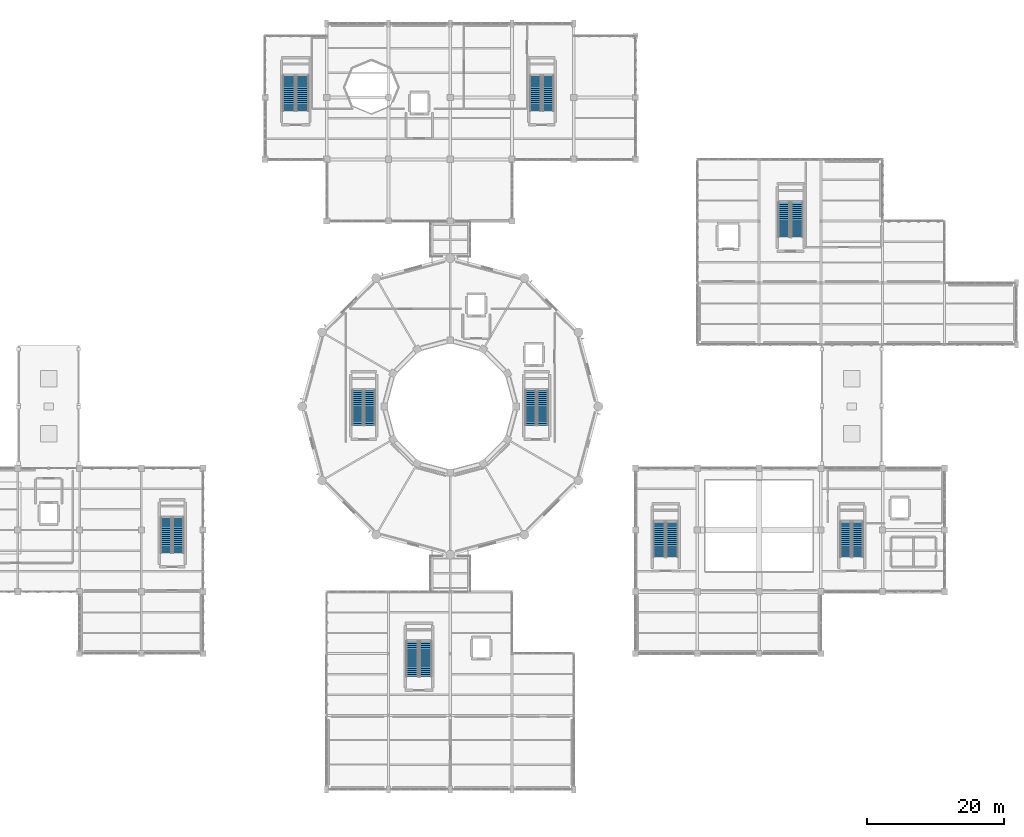
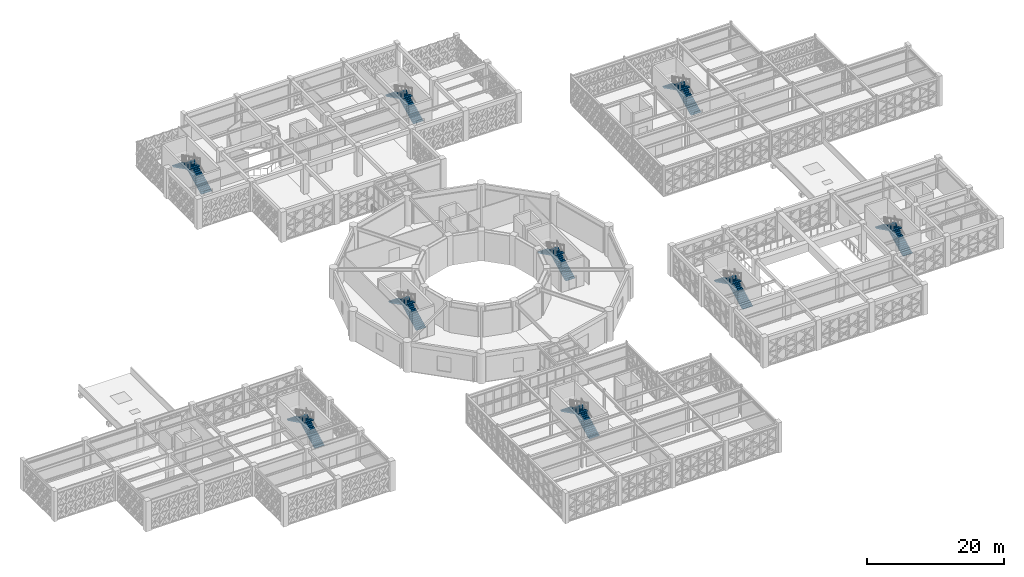
# One storey, part 138 of 155: 18 stair flights, 9 elements without a shape of their own.
"""IFC4 building model written with IfcOpenShell, lengths in metres."""

from ifc_helpers import new_model, si_unit, direction, frame, origin, place, context, subcontext, project, spatial, polyline, outline, extrude, material, type_object, element, aggregate, save


model = new_model("IFC4")

# Units and contexts
model_context = context("Model", 3, precision=1e-05, world=origin(), true_north=direction((0.0, 1.0)))
body_context = subcontext(model_context, "Body", "Model", "MODEL_VIEW")
ifc_project = project(units=[si_unit("LENGTHUNIT", "METRE"), si_unit("AREAUNIT", "SQUARE_METRE"), si_unit("VOLUMEUNIT", "CUBIC_METRE"), si_unit("PLANEANGLEUNIT", "RADIAN"), si_unit("MASSUNIT", "GRAM", prefix="KILO")], contexts=[model_context])

# Site, building, storey
site_placement = place(None, origin())
site = spatial("IfcSite", under=ifc_project, at=site_placement, CompositionType="ELEMENT")
building_placement = place(site_placement, origin())
building = spatial("IfcBuilding", under=site, at=building_placement, Name="Haizhuo Lancet Aquarium", CompositionType="ELEMENT")
storey_placement = place(building_placement, frame((0.0, 0.0, 10.800048828125)))
storey = spatial("IfcBuildingStorey", under=building, at=storey_placement, Name="L02", CompositionType="ELEMENT", Elevation=10.800048828125)

# Stair, stair flights
ifc_material = material(Name="Concrete C40/50", Category="concrete")
stair_type_1 = type_object("IfcStairType", Name="STR-HT-1600-54", PredefinedType="HALF_TURN_STAIR", material=ifc_material)
stair_1_placement = place(storey_placement, origin())
stair_1 = element("IfcStair", 1, at=stair_1_placement, inside=storey, type_object=stair_type_1, Name="L02 enclosed exit stair ST-01", PredefinedType="HALF_TURN_STAIR")
stair_flight_type_1 = type_object("IfcStairFlightType", Name="FLT-STR-1600-54", PredefinedType="STRAIGHT", material=ifc_material)
stair_flight_1_placement = place(storey_placement, frame((-11.699951171875, -2.75, 0.0), z_axis=(0.0, 0.0, 1.0), x_axis=(0.0, 1.0, 0.0)))
stair_flight_1 = element("IfcStairFlight", 2, at=stair_flight_1_placement, type_object=stair_flight_type_1, Name="ST-15 flight 1", NumberOfRisers=18, NumberOfTreads=17, PredefinedType="STRAIGHT", RiserHeight=0.15, TreadLength=0.3, context=body_context, shape_type="SweptSolid", body=[
    extrude(outline(polyline([(0.0, 0.0), (0.0, 0.14990234375), (0.300048828125, 0.14990234375), (0.300048828125, 0.300048828125), (0.60009765625, 0.300048828125), (0.60009765625, 0.449951171875), (0.89990234375, 0.449951171875), (0.89990234375, 0.60009765625), (1.199951171875, 0.60009765625), (1.199951171875, 0.75), (1.5, 0.75), (1.5, 0.89990234375), (1.800048828125, 0.89990234375), (1.800048828125, 1.050048828125), (2.10009765625, 1.050048828125), (2.10009765625, 1.199951171875), (2.39990234375, 1.199951171875), (2.39990234375, 1.35009765625), (2.699951171875, 1.35009765625), (2.699951171875, 1.5), (3.0, 1.5), (3.0, 1.64990234375), (3.300048828125, 1.64990234375), (3.300048828125, 1.800048828125), (3.60009765625, 1.800048828125), (3.60009765625, 1.949951171875), (3.89990234375, 1.949951171875), (3.89990234375, 2.10009765625), (4.199951171875, 2.10009765625), (4.199951171875, 2.25), (4.5, 2.25), (4.5, 2.39990234375), (4.800048828125, 2.39990234375), (4.800048828125, 2.550048828125), (5.10009765625, 2.550048828125), (5.10009765625, 2.699951171875), (5.10009765625, 2.37109375), (0.357666015625, 0.0), (0.0, 0.0)])), frame((0.0, 0.800048828125, 0.0), z_axis=(0.0, -1.0, 0.0), x_axis=(1.0, 0.0, 0.0)), (0.0, 0.0, 1.0), 1.60009765625),
])
stair_flight_2_placement = place(storey_placement, frame((-13.5, 2.35009765625, 2.699951171875), z_axis=(0.0, 0.0, 1.0), x_axis=(0.0, -1.0, 0.0)))
stair_flight_2 = element("IfcStairFlight", 3, at=stair_flight_2_placement, type_object=stair_flight_type_1, Name="ST-15 flight 2", NumberOfRisers=18, NumberOfTreads=17, PredefinedType="STRAIGHT", RiserHeight=0.15, TreadLength=0.3, context=body_context, shape_type="SweptSolid", body=[
    extrude(outline(polyline([(0.0, 0.0), (0.0, 0.14990234375), (0.300048828125, 0.14990234375), (0.300048828125, 0.300048828125), (0.60009765625, 0.300048828125), (0.60009765625, 0.449951171875), (0.89990234375, 0.449951171875), (0.89990234375, 0.60009765625), (1.199951171875, 0.60009765625), (1.199951171875, 0.75), (1.5, 0.75), (1.5, 0.89990234375), (1.800048828125, 0.89990234375), (1.800048828125, 1.050048828125), (2.10009765625, 1.050048828125), (2.10009765625, 1.199951171875), (2.39990234375, 1.199951171875), (2.39990234375, 1.35009765625), (2.699951171875, 1.35009765625), (2.699951171875, 1.5), (3.0, 1.5), (3.0, 1.64990234375), (3.300048828125, 1.64990234375), (3.300048828125, 1.800048828125), (3.60009765625, 1.800048828125), (3.60009765625, 1.949951171875), (3.89990234375, 1.949951171875), (3.89990234375, 2.10009765625), (4.199951171875, 2.10009765625), (4.199951171875, 2.25), (4.5, 2.25), (4.5, 2.39990234375), (4.800048828125, 2.39990234375), (4.800048828125, 2.550048828125), (5.10009765625, 2.550048828125), (5.10009765625, 2.699951171875), (5.10009765625, 2.37109375), (0.357666015625, 0.0), (0.0, 0.0)])), frame((0.0, 0.800048828125, 0.0), z_axis=(0.0, -1.0, 0.0), x_axis=(1.0, 0.0, 0.0)), (0.0, 0.0, 1.0), 1.60009765625),
])
aggregate(stair_1, [stair_flight_1, stair_flight_2])

stair_2_placement = place(storey_placement, origin())
stair_2 = element("IfcStair", 4, at=stair_2_placement, inside=storey, type_object=stair_type_1, Name="L02 enclosed exit stair ST-02", PredefinedType="HALF_TURN_STAIR")
stair_flight_3_placement = place(storey_placement, frame((13.5, -2.75, 0.0), z_axis=(0.0, 0.0, 1.0), x_axis=(0.0, 1.0, 0.0)))
stair_flight_3 = element("IfcStairFlight", 5, at=stair_flight_3_placement, type_object=stair_flight_type_1, Name="ST-15 flight 1", NumberOfRisers=18, NumberOfTreads=17, PredefinedType="STRAIGHT", RiserHeight=0.15, TreadLength=0.3, context=body_context, shape_type="SweptSolid", body=[
    extrude(outline(polyline([(0.0, 0.0), (0.0, 0.14990234375), (0.300048828125, 0.14990234375), (0.300048828125, 0.300048828125), (0.60009765625, 0.300048828125), (0.60009765625, 0.449951171875), (0.89990234375, 0.449951171875), (0.89990234375, 0.60009765625), (1.199951171875, 0.60009765625), (1.199951171875, 0.75), (1.5, 0.75), (1.5, 0.89990234375), (1.800048828125, 0.89990234375), (1.800048828125, 1.050048828125), (2.10009765625, 1.050048828125), (2.10009765625, 1.199951171875), (2.39990234375, 1.199951171875), (2.39990234375, 1.35009765625), (2.699951171875, 1.35009765625), (2.699951171875, 1.5), (3.0, 1.5), (3.0, 1.64990234375), (3.300048828125, 1.64990234375), (3.300048828125, 1.800048828125), (3.60009765625, 1.800048828125), (3.60009765625, 1.949951171875), (3.89990234375, 1.949951171875), (3.89990234375, 2.10009765625), (4.199951171875, 2.10009765625), (4.199951171875, 2.25), (4.5, 2.25), (4.5, 2.39990234375), (4.800048828125, 2.39990234375), (4.800048828125, 2.550048828125), (5.10009765625, 2.550048828125), (5.10009765625, 2.699951171875), (5.10009765625, 2.37109375), (0.357666015625, 0.0), (0.0, 0.0)])), frame((0.0, 0.800048828125, 0.0), z_axis=(0.0, -1.0, 0.0), x_axis=(1.0, 0.0, 0.0)), (0.0, 0.0, 1.0), 1.60009765625),
])
stair_flight_4_placement = place(storey_placement, frame((11.699951171875, 2.35009765625, 2.699951171875), z_axis=(0.0, 0.0, 1.0), x_axis=(0.0, -1.0, 0.0)))
stair_flight_4 = element("IfcStairFlight", 6, at=stair_flight_4_placement, type_object=stair_flight_type_1, Name="ST-15 flight 2", NumberOfRisers=18, NumberOfTreads=17, PredefinedType="STRAIGHT", RiserHeight=0.15, TreadLength=0.3, context=body_context, shape_type="SweptSolid", body=[
    extrude(outline(polyline([(0.0, 0.0), (0.0, 0.14990234375), (0.300048828125, 0.14990234375), (0.300048828125, 0.300048828125), (0.60009765625, 0.300048828125), (0.60009765625, 0.449951171875), (0.89990234375, 0.449951171875), (0.89990234375, 0.60009765625), (1.199951171875, 0.60009765625), (1.199951171875, 0.75), (1.5, 0.75), (1.5, 0.89990234375), (1.800048828125, 0.89990234375), (1.800048828125, 1.050048828125), (2.10009765625, 1.050048828125), (2.10009765625, 1.199951171875), (2.39990234375, 1.199951171875), (2.39990234375, 1.35009765625), (2.699951171875, 1.35009765625), (2.699951171875, 1.5), (3.0, 1.5), (3.0, 1.64990234375), (3.300048828125, 1.64990234375), (3.300048828125, 1.800048828125), (3.60009765625, 1.800048828125), (3.60009765625, 1.949951171875), (3.89990234375, 1.949951171875), (3.89990234375, 2.10009765625), (4.199951171875, 2.10009765625), (4.199951171875, 2.25), (4.5, 2.25), (4.5, 2.39990234375), (4.800048828125, 2.39990234375), (4.800048828125, 2.550048828125), (5.10009765625, 2.550048828125), (5.10009765625, 2.699951171875), (5.10009765625, 2.37109375), (0.357666015625, 0.0), (0.0, 0.0)])), frame((0.0, 0.800048828125, 0.0), z_axis=(0.0, -1.0, 0.0), x_axis=(1.0, 0.0, 0.0)), (0.0, 0.0, 1.0), 1.60009765625),
])
aggregate(stair_2, [stair_flight_3, stair_flight_4])

stair_3_placement = place(storey_placement, origin())
stair_3 = element("IfcStair", 7, at=stair_3_placement, inside=storey, type_object=stair_type_1, Name="L02 enclosed exit stair ST-05", PredefinedType="HALF_TURN_STAIR")
stair_flight_5_placement = place(storey_placement, frame((59.39990234375, -21.949951171875, 0.0), z_axis=(0.0, 0.0, 1.0), x_axis=(0.0, 1.0, 0.0)))
stair_flight_5 = element("IfcStairFlight", 8, at=stair_flight_5_placement, type_object=stair_flight_type_1, Name="ST-15 flight 1", NumberOfRisers=18, NumberOfTreads=17, PredefinedType="STRAIGHT", RiserHeight=0.15, TreadLength=0.3, context=body_context, shape_type="SweptSolid", body=[
    extrude(outline(polyline([(0.0, 0.0), (0.0, 0.14990234375), (0.300048828125, 0.14990234375), (0.300048828125, 0.300048828125), (0.60009765625, 0.300048828125), (0.60009765625, 0.449951171875), (0.89990234375, 0.449951171875), (0.89990234375, 0.60009765625), (1.199951171875, 0.60009765625), (1.199951171875, 0.75), (1.5, 0.75), (1.5, 0.89990234375), (1.800048828125, 0.89990234375), (1.800048828125, 1.050048828125), (2.10009765625, 1.050048828125), (2.10009765625, 1.199951171875), (2.39990234375, 1.199951171875), (2.39990234375, 1.35009765625), (2.699951171875, 1.35009765625), (2.699951171875, 1.5), (3.0, 1.5), (3.0, 1.64990234375), (3.300048828125, 1.64990234375), (3.300048828125, 1.800048828125), (3.60009765625, 1.800048828125), (3.60009765625, 1.949951171875), (3.89990234375, 1.949951171875), (3.89990234375, 2.10009765625), (4.199951171875, 2.10009765625), (4.199951171875, 2.25), (4.5, 2.25), (4.5, 2.39990234375), (4.800048828125, 2.39990234375), (4.800048828125, 2.550048828125), (5.10009765625, 2.550048828125), (5.10009765625, 2.699951171875), (5.10009765625, 2.37109375), (0.357666015625, 0.0), (0.0, 0.0)])), frame((0.0, 0.800048828125, 0.0), z_axis=(0.0, -1.0, 0.0), x_axis=(1.0, 0.0, 0.0)), (0.0, 0.0, 1.0), 1.60009765625),
])
stair_flight_6_placement = place(storey_placement, frame((57.60009765625, -16.85009765625, 2.699951171875), z_axis=(0.0, 0.0, 1.0), x_axis=(0.0, -1.0, 0.0)))
stair_flight_6 = element("IfcStairFlight", 9, at=stair_flight_6_placement, type_object=stair_flight_type_1, Name="ST-15 flight 2", NumberOfRisers=18, NumberOfTreads=17, PredefinedType="STRAIGHT", RiserHeight=0.15, TreadLength=0.3, context=body_context, shape_type="SweptSolid", body=[
    extrude(outline(polyline([(0.0, 0.0), (0.0, 0.14990234375), (0.300048828125, 0.14990234375), (0.300048828125, 0.300048828125), (0.60009765625, 0.300048828125), (0.60009765625, 0.449951171875), (0.89990234375, 0.449951171875), (0.89990234375, 0.60009765625), (1.199951171875, 0.60009765625), (1.199951171875, 0.75), (1.5, 0.75), (1.5, 0.89990234375), (1.800048828125, 0.89990234375), (1.800048828125, 1.050048828125), (2.10009765625, 1.050048828125), (2.10009765625, 1.199951171875), (2.39990234375, 1.199951171875), (2.39990234375, 1.35009765625), (2.699951171875, 1.35009765625), (2.699951171875, 1.5), (3.0, 1.5), (3.0, 1.64990234375), (3.300048828125, 1.64990234375), (3.300048828125, 1.800048828125), (3.60009765625, 1.800048828125), (3.60009765625, 1.949951171875), (3.89990234375, 1.949951171875), (3.89990234375, 2.10009765625), (4.199951171875, 2.10009765625), (4.199951171875, 2.25), (4.5, 2.25), (4.5, 2.39990234375), (4.800048828125, 2.39990234375), (4.800048828125, 2.550048828125), (5.10009765625, 2.550048828125), (5.10009765625, 2.699951171875), (5.10009765625, 2.37109375), (0.357666015625, 0.0), (0.0, 0.0)])), frame((0.0, 0.800048828125, 0.0), z_axis=(0.0, -1.0, 0.0), x_axis=(1.0, 0.0, 0.0)), (0.0, 0.0, 1.0), 1.60009765625),
])
aggregate(stair_3, [stair_flight_5, stair_flight_6])

stair_4_placement = place(storey_placement, origin())
stair_4 = element("IfcStair", 10, at=stair_4_placement, inside=storey, type_object=stair_type_1, Name="L02 enclosed exit stair ST-09", PredefinedType="HALF_TURN_STAIR")
stair_flight_7_placement = place(storey_placement, frame((-39.60009765625, -21.35009765625, 0.0), z_axis=(0.0, 0.0, 1.0), x_axis=(0.0, 1.0, 0.0)))
stair_flight_7 = element("IfcStairFlight", 11, at=stair_flight_7_placement, type_object=stair_flight_type_1, Name="ST-15 flight 1", NumberOfRisers=18, NumberOfTreads=17, PredefinedType="STRAIGHT", RiserHeight=0.15, TreadLength=0.3, context=body_context, shape_type="SweptSolid", body=[
    extrude(outline(polyline([(0.0, 0.0), (0.0, 0.14990234375), (0.300048828125, 0.14990234375), (0.300048828125, 0.300048828125), (0.60009765625, 0.300048828125), (0.60009765625, 0.449951171875), (0.89990234375, 0.449951171875), (0.89990234375, 0.60009765625), (1.199951171875, 0.60009765625), (1.199951171875, 0.75), (1.5, 0.75), (1.5, 0.89990234375), (1.800048828125, 0.89990234375), (1.800048828125, 1.050048828125), (2.10009765625, 1.050048828125), (2.10009765625, 1.199951171875), (2.39990234375, 1.199951171875), (2.39990234375, 1.35009765625), (2.699951171875, 1.35009765625), (2.699951171875, 1.5), (3.0, 1.5), (3.0, 1.64990234375), (3.300048828125, 1.64990234375), (3.300048828125, 1.800048828125), (3.60009765625, 1.800048828125), (3.60009765625, 1.949951171875), (3.89990234375, 1.949951171875), (3.89990234375, 2.10009765625), (4.199951171875, 2.10009765625), (4.199951171875, 2.25), (4.5, 2.25), (4.5, 2.39990234375), (4.800048828125, 2.39990234375), (4.800048828125, 2.550048828125), (5.10009765625, 2.550048828125), (5.10009765625, 2.699951171875), (5.10009765625, 2.37109375), (0.357666015625, 0.0), (0.0, 0.0)])), frame((0.0, 0.800048828125, 0.0), z_axis=(0.0, -1.0, 0.0), x_axis=(1.0, 0.0, 0.0)), (0.0, 0.0, 1.0), 1.60009765625),
])
stair_flight_8_placement = place(storey_placement, frame((-41.39990234375, -16.25, 2.699951171875), z_axis=(0.0, 0.0, 1.0), x_axis=(0.0, -1.0, 0.0)))
stair_flight_8 = element("IfcStairFlight", 12, at=stair_flight_8_placement, type_object=stair_flight_type_1, Name="ST-15 flight 2", NumberOfRisers=18, NumberOfTreads=17, PredefinedType="STRAIGHT", RiserHeight=0.15, TreadLength=0.3, context=body_context, shape_type="SweptSolid", body=[
    extrude(outline(polyline([(0.0, 0.0), (0.0, 0.14990234375), (0.300048828125, 0.14990234375), (0.300048828125, 0.300048828125), (0.60009765625, 0.300048828125), (0.60009765625, 0.449951171875), (0.89990234375, 0.449951171875), (0.89990234375, 0.60009765625), (1.199951171875, 0.60009765625), (1.199951171875, 0.75), (1.5, 0.75), (1.5, 0.89990234375), (1.800048828125, 0.89990234375), (1.800048828125, 1.050048828125), (2.10009765625, 1.050048828125), (2.10009765625, 1.199951171875), (2.39990234375, 1.199951171875), (2.39990234375, 1.35009765625), (2.699951171875, 1.35009765625), (2.699951171875, 1.5), (3.0, 1.5), (3.0, 1.64990234375), (3.300048828125, 1.64990234375), (3.300048828125, 1.800048828125), (3.60009765625, 1.800048828125), (3.60009765625, 1.949951171875), (3.89990234375, 1.949951171875), (3.89990234375, 2.10009765625), (4.199951171875, 2.10009765625), (4.199951171875, 2.25), (4.5, 2.25), (4.5, 2.39990234375), (4.800048828125, 2.39990234375), (4.800048828125, 2.550048828125), (5.10009765625, 2.550048828125), (5.10009765625, 2.699951171875), (5.10009765625, 2.37109375), (0.357666015625, 0.0), (0.0, 0.0)])), frame((0.0, 0.800048828125, 0.0), z_axis=(0.0, -1.0, 0.0), x_axis=(1.0, 0.0, 0.0)), (0.0, 0.0, 1.0), 1.60009765625),
])
aggregate(stair_4, [stair_flight_7, stair_flight_8])

stair_type_2 = type_object("IfcStairType", Name="STR-HT-1650-54", PredefinedType="HALF_TURN_STAIR", material=ifc_material)
stair_5_placement = place(storey_placement, origin())
stair_5 = element("IfcStair", 13, at=stair_5_placement, inside=storey, type_object=stair_type_2, Name="L02 enclosed exit stair ST-08", PredefinedType="HALF_TURN_STAIR")
stair_flight_type_2 = type_object("IfcStairFlightType", Name="FLT-STR-1650-54", PredefinedType="STRAIGHT", material=ifc_material)
stair_flight_9_placement = place(storey_placement, frame((14.27490234375, 43.050048828125, 0.0), z_axis=(0.0, 0.0, 1.0), x_axis=(0.0, 1.0, 0.0)))
stair_flight_9 = element("IfcStairFlight", 14, at=stair_flight_9_placement, type_object=stair_flight_type_2, Name="ST-25 flight 1", NumberOfRisers=18, NumberOfTreads=17, PredefinedType="STRAIGHT", RiserHeight=0.15, TreadLength=0.3, context=body_context, shape_type="SweptSolid", body=[
    extrude(outline(polyline([(0.0, 0.0), (0.0, 0.14990234375), (0.300048828125, 0.14990234375), (0.300048828125, 0.300048828125), (0.60009765625, 0.300048828125), (0.60009765625, 0.449951171875), (0.89990234375, 0.449951171875), (0.89990234375, 0.60009765625), (1.199951171875, 0.60009765625), (1.199951171875, 0.75), (1.5, 0.75), (1.5, 0.89990234375), (1.800048828125, 0.89990234375), (1.800048828125, 1.050048828125), (2.10009765625, 1.050048828125), (2.10009765625, 1.199951171875), (2.39990234375, 1.199951171875), (2.39990234375, 1.35009765625), (2.699951171875, 1.35009765625), (2.699951171875, 1.5), (3.0, 1.5), (3.0, 1.64990234375), (3.300048828125, 1.64990234375), (3.300048828125, 1.800048828125), (3.60009765625, 1.800048828125), (3.60009765625, 1.949951171875), (3.89990234375, 1.949951171875), (3.89990234375, 2.10009765625), (4.199951171875, 2.10009765625), (4.199951171875, 2.25), (4.5, 2.25), (4.5, 2.39990234375), (4.800048828125, 2.39990234375), (4.800048828125, 2.550048828125), (5.10009765625, 2.550048828125), (5.10009765625, 2.699951171875), (5.10009765625, 2.37109375), (0.357666015625, 0.0), (0.0, 0.0)])), frame((0.0, 0.824951171875, 0.0), z_axis=(0.0, -1.0, 0.0), x_axis=(1.0, 0.0, 0.0)), (0.0, 0.0, 1.0), 1.64990234375),
])
stair_flight_10_placement = place(storey_placement, frame((12.425048828125, 48.14990234375, 2.699951171875), z_axis=(0.0, 0.0, 1.0), x_axis=(0.0, -1.0, 0.0)))
stair_flight_10 = element("IfcStairFlight", 15, at=stair_flight_10_placement, type_object=stair_flight_type_2, Name="ST-25 flight 2", NumberOfRisers=18, NumberOfTreads=17, PredefinedType="STRAIGHT", RiserHeight=0.15, TreadLength=0.3, context=body_context, shape_type="SweptSolid", body=[
    extrude(outline(polyline([(0.0, 0.0), (0.0, 0.14990234375), (0.300048828125, 0.14990234375), (0.300048828125, 0.300048828125), (0.60009765625, 0.300048828125), (0.60009765625, 0.449951171875), (0.89990234375, 0.449951171875), (0.89990234375, 0.60009765625), (1.199951171875, 0.60009765625), (1.199951171875, 0.75), (1.5, 0.75), (1.5, 0.89990234375), (1.800048828125, 0.89990234375), (1.800048828125, 1.050048828125), (2.10009765625, 1.050048828125), (2.10009765625, 1.199951171875), (2.39990234375, 1.199951171875), (2.39990234375, 1.35009765625), (2.699951171875, 1.35009765625), (2.699951171875, 1.5), (3.0, 1.5), (3.0, 1.64990234375), (3.300048828125, 1.64990234375), (3.300048828125, 1.800048828125), (3.60009765625, 1.800048828125), (3.60009765625, 1.949951171875), (3.89990234375, 1.949951171875), (3.89990234375, 2.10009765625), (4.199951171875, 2.10009765625), (4.199951171875, 2.25), (4.5, 2.25), (4.5, 2.39990234375), (4.800048828125, 2.39990234375), (4.800048828125, 2.550048828125), (5.10009765625, 2.550048828125), (5.10009765625, 2.699951171875), (5.10009765625, 2.37109375), (0.357666015625, 0.0), (0.0, 0.0)])), frame((0.0, 0.824951171875, 0.0), z_axis=(0.0, -1.0, 0.0), x_axis=(1.0, 0.0, 0.0)), (0.0, 0.0, 1.0), 1.64990234375),
])
aggregate(stair_5, [stair_flight_9, stair_flight_10])

stair_type_3 = type_object("IfcStairType", Name="STR-HT-1700-54", PredefinedType="HALF_TURN_STAIR", material=ifc_material)
stair_6_placement = place(storey_placement, origin())
stair_6 = element("IfcStair", 16, at=stair_6_placement, inside=storey, type_object=stair_type_3, Name="L02 enclosed exit stair ST-04", PredefinedType="HALF_TURN_STAIR")
stair_flight_type_3 = type_object("IfcStairFlightType", Name="FLT-STR-1700-54", PredefinedType="STRAIGHT", material=ifc_material)
stair_flight_11_placement = place(storey_placement, frame((32.35009765625, -21.949951171875, 0.0), z_axis=(0.0, 0.0, 1.0), x_axis=(0.0, 1.0, 0.0)))
stair_flight_11 = element("IfcStairFlight", 17, at=stair_flight_11_placement, type_object=stair_flight_type_3, Name="ST-35 flight 1", NumberOfRisers=18, NumberOfTreads=17, PredefinedType="STRAIGHT", RiserHeight=0.15, TreadLength=0.3, context=body_context, shape_type="SweptSolid", body=[
    extrude(outline(polyline([(0.0, 0.0), (0.0, 0.14990234375), (0.300048828125, 0.14990234375), (0.300048828125, 0.300048828125), (0.60009765625, 0.300048828125), (0.60009765625, 0.449951171875), (0.89990234375, 0.449951171875), (0.89990234375, 0.60009765625), (1.199951171875, 0.60009765625), (1.199951171875, 0.75), (1.5, 0.75), (1.5, 0.89990234375), (1.800048828125, 0.89990234375), (1.800048828125, 1.050048828125), (2.10009765625, 1.050048828125), (2.10009765625, 1.199951171875), (2.39990234375, 1.199951171875), (2.39990234375, 1.35009765625), (2.699951171875, 1.35009765625), (2.699951171875, 1.5), (3.0, 1.5), (3.0, 1.64990234375), (3.300048828125, 1.64990234375), (3.300048828125, 1.800048828125), (3.60009765625, 1.800048828125), (3.60009765625, 1.949951171875), (3.89990234375, 1.949951171875), (3.89990234375, 2.10009765625), (4.199951171875, 2.10009765625), (4.199951171875, 2.25), (4.5, 2.25), (4.5, 2.39990234375), (4.800048828125, 2.39990234375), (4.800048828125, 2.550048828125), (5.10009765625, 2.550048828125), (5.10009765625, 2.699951171875), (5.10009765625, 2.37109375), (0.357666015625, 0.0), (0.0, 0.0)])), frame((0.0, 0.85009765625, 0.0), z_axis=(0.0, -1.0, 0.0), x_axis=(1.0, 0.0, 0.0)), (0.0, 0.0, 1.0), 1.699951171875),
])
stair_flight_12_placement = place(storey_placement, frame((30.449951171875, -16.85009765625, 2.699951171875), z_axis=(0.0, 0.0, 1.0), x_axis=(0.0, -1.0, 0.0)))
stair_flight_12 = element("IfcStairFlight", 18, at=stair_flight_12_placement, type_object=stair_flight_type_3, Name="ST-35 flight 2", NumberOfRisers=18, NumberOfTreads=17, PredefinedType="STRAIGHT", RiserHeight=0.15, TreadLength=0.3, context=body_context, shape_type="SweptSolid", body=[
    extrude(outline(polyline([(0.0, 0.0), (0.0, 0.14990234375), (0.300048828125, 0.14990234375), (0.300048828125, 0.300048828125), (0.60009765625, 0.300048828125), (0.60009765625, 0.449951171875), (0.89990234375, 0.449951171875), (0.89990234375, 0.60009765625), (1.199951171875, 0.60009765625), (1.199951171875, 0.75), (1.5, 0.75), (1.5, 0.89990234375), (1.800048828125, 0.89990234375), (1.800048828125, 1.050048828125), (2.10009765625, 1.050048828125), (2.10009765625, 1.199951171875), (2.39990234375, 1.199951171875), (2.39990234375, 1.35009765625), (2.699951171875, 1.35009765625), (2.699951171875, 1.5), (3.0, 1.5), (3.0, 1.64990234375), (3.300048828125, 1.64990234375), (3.300048828125, 1.800048828125), (3.60009765625, 1.800048828125), (3.60009765625, 1.949951171875), (3.89990234375, 1.949951171875), (3.89990234375, 2.10009765625), (4.199951171875, 2.10009765625), (4.199951171875, 2.25), (4.5, 2.25), (4.5, 2.39990234375), (4.800048828125, 2.39990234375), (4.800048828125, 2.550048828125), (5.10009765625, 2.550048828125), (5.10009765625, 2.699951171875), (5.10009765625, 2.37109375), (0.357666015625, 0.0), (0.0, 0.0)])), frame((0.0, 0.85009765625, 0.0), z_axis=(0.0, -1.0, 0.0), x_axis=(1.0, 0.0, 0.0)), (0.0, 0.0, 1.0), 1.699951171875),
])
aggregate(stair_6, [stair_flight_11, stair_flight_12])

stair_7_placement = place(storey_placement, origin())
stair_7 = element("IfcStair", 19, at=stair_7_placement, inside=storey, type_object=stair_type_3, Name="L02 enclosed exit stair ST-10", PredefinedType="HALF_TURN_STAIR")
stair_flight_13_placement = place(storey_placement, frame((50.550048828125, 24.64990234375, 0.0), z_axis=(0.0, 0.0, 1.0), x_axis=(0.0, 1.0, 0.0)))
stair_flight_13 = element("IfcStairFlight", 20, at=stair_flight_13_placement, type_object=stair_flight_type_3, Name="ST-35 flight 1", NumberOfRisers=18, NumberOfTreads=17, PredefinedType="STRAIGHT", RiserHeight=0.15, TreadLength=0.3, context=body_context, shape_type="SweptSolid", body=[
    extrude(outline(polyline([(0.0, 0.0), (0.0, 0.14990234375), (0.300048828125, 0.14990234375), (0.300048828125, 0.300048828125), (0.60009765625, 0.300048828125), (0.60009765625, 0.449951171875), (0.89990234375, 0.449951171875), (0.89990234375, 0.60009765625), (1.199951171875, 0.60009765625), (1.199951171875, 0.75), (1.5, 0.75), (1.5, 0.89990234375), (1.800048828125, 0.89990234375), (1.800048828125, 1.050048828125), (2.10009765625, 1.050048828125), (2.10009765625, 1.199951171875), (2.39990234375, 1.199951171875), (2.39990234375, 1.35009765625), (2.699951171875, 1.35009765625), (2.699951171875, 1.5), (3.0, 1.5), (3.0, 1.64990234375), (3.300048828125, 1.64990234375), (3.300048828125, 1.800048828125), (3.60009765625, 1.800048828125), (3.60009765625, 1.949951171875), (3.89990234375, 1.949951171875), (3.89990234375, 2.10009765625), (4.199951171875, 2.10009765625), (4.199951171875, 2.25), (4.5, 2.25), (4.5, 2.39990234375), (4.800048828125, 2.39990234375), (4.800048828125, 2.550048828125), (5.10009765625, 2.550048828125), (5.10009765625, 2.699951171875), (5.10009765625, 2.37109375), (0.357666015625, 0.0), (0.0, 0.0)])), frame((0.0, 0.85009765625, 0.0), z_axis=(0.0, -1.0, 0.0), x_axis=(1.0, 0.0, 0.0)), (0.0, 0.0, 1.0), 1.699951171875),
])
stair_flight_14_placement = place(storey_placement, frame((48.64990234375, 29.75, 2.699951171875), z_axis=(0.0, 0.0, 1.0), x_axis=(0.0, -1.0, 0.0)))
stair_flight_14 = element("IfcStairFlight", 21, at=stair_flight_14_placement, type_object=stair_flight_type_3, Name="ST-35 flight 2", NumberOfRisers=18, NumberOfTreads=17, PredefinedType="STRAIGHT", RiserHeight=0.15, TreadLength=0.3, context=body_context, shape_type="SweptSolid", body=[
    extrude(outline(polyline([(0.0, 0.0), (0.0, 0.14990234375), (0.300048828125, 0.14990234375), (0.300048828125, 0.300048828125), (0.60009765625, 0.300048828125), (0.60009765625, 0.449951171875), (0.89990234375, 0.449951171875), (0.89990234375, 0.60009765625), (1.199951171875, 0.60009765625), (1.199951171875, 0.75), (1.5, 0.75), (1.5, 0.89990234375), (1.800048828125, 0.89990234375), (1.800048828125, 1.050048828125), (2.10009765625, 1.050048828125), (2.10009765625, 1.199951171875), (2.39990234375, 1.199951171875), (2.39990234375, 1.35009765625), (2.699951171875, 1.35009765625), (2.699951171875, 1.5), (3.0, 1.5), (3.0, 1.64990234375), (3.300048828125, 1.64990234375), (3.300048828125, 1.800048828125), (3.60009765625, 1.800048828125), (3.60009765625, 1.949951171875), (3.89990234375, 1.949951171875), (3.89990234375, 2.10009765625), (4.199951171875, 2.10009765625), (4.199951171875, 2.25), (4.5, 2.25), (4.5, 2.39990234375), (4.800048828125, 2.39990234375), (4.800048828125, 2.550048828125), (5.10009765625, 2.550048828125), (5.10009765625, 2.699951171875), (5.10009765625, 2.37109375), (0.357666015625, 0.0), (0.0, 0.0)])), frame((0.0, 0.85009765625, 0.0), z_axis=(0.0, -1.0, 0.0), x_axis=(1.0, 0.0, 0.0)), (0.0, 0.0, 1.0), 1.699951171875),
])
aggregate(stair_7, [stair_flight_13, stair_flight_14])

stair_type_4 = type_object("IfcStairType", Name="STR-HT-1750-54", PredefinedType="HALF_TURN_STAIR", material=ifc_material)
stair_8_placement = place(storey_placement, origin())
stair_8 = element("IfcStair", 22, at=stair_8_placement, inside=storey, type_object=stair_type_4, Name="L02 enclosed exit stair ST-06", PredefinedType="HALF_TURN_STAIR")
stair_flight_type_4 = type_object("IfcStairFlightType", Name="FLT-STR-1750-54", PredefinedType="STRAIGHT", material=ifc_material)
stair_flight_15_placement = place(storey_placement, frame((-3.574951171875, -39.35009765625, 0.0), z_axis=(0.0, 0.0, 1.0), x_axis=(0.0, 1.0, 0.0)))
stair_flight_15 = element("IfcStairFlight", 23, at=stair_flight_15_placement, type_object=stair_flight_type_4, Name="ST-45 flight 1", NumberOfRisers=18, NumberOfTreads=17, PredefinedType="STRAIGHT", RiserHeight=0.15, TreadLength=0.3, context=body_context, shape_type="SweptSolid", body=[
    extrude(outline(polyline([(0.0, 0.0), (0.0, 0.14990234375), (0.300048828125, 0.14990234375), (0.300048828125, 0.300048828125), (0.60009765625, 0.300048828125), (0.60009765625, 0.449951171875), (0.89990234375, 0.449951171875), (0.89990234375, 0.60009765625), (1.199951171875, 0.60009765625), (1.199951171875, 0.75), (1.5, 0.75), (1.5, 0.89990234375), (1.800048828125, 0.89990234375), (1.800048828125, 1.050048828125), (2.10009765625, 1.050048828125), (2.10009765625, 1.199951171875), (2.39990234375, 1.199951171875), (2.39990234375, 1.35009765625), (2.699951171875, 1.35009765625), (2.699951171875, 1.5), (3.0, 1.5), (3.0, 1.64990234375), (3.300048828125, 1.64990234375), (3.300048828125, 1.800048828125), (3.60009765625, 1.800048828125), (3.60009765625, 1.949951171875), (3.89990234375, 1.949951171875), (3.89990234375, 2.10009765625), (4.199951171875, 2.10009765625), (4.199951171875, 2.25), (4.5, 2.25), (4.5, 2.39990234375), (4.800048828125, 2.39990234375), (4.800048828125, 2.550048828125), (5.10009765625, 2.550048828125), (5.10009765625, 2.699951171875), (5.10009765625, 2.37109375), (0.357666015625, 0.0), (0.0, 0.0)])), frame((0.0, 0.875, 0.0), z_axis=(0.0, -1.0, 0.0), x_axis=(1.0, 0.0, 0.0)), (0.0, 0.0, 1.0), 1.75),
])
stair_flight_16_placement = place(storey_placement, frame((-5.52490234375, -34.25, 2.699951171875), z_axis=(0.0, 0.0, 1.0), x_axis=(0.0, -1.0, 0.0)))
stair_flight_16 = element("IfcStairFlight", 24, at=stair_flight_16_placement, type_object=stair_flight_type_4, Name="ST-45 flight 2", NumberOfRisers=18, NumberOfTreads=17, PredefinedType="STRAIGHT", RiserHeight=0.15, TreadLength=0.3, context=body_context, shape_type="SweptSolid", body=[
    extrude(outline(polyline([(0.0, 0.0), (0.0, 0.14990234375), (0.300048828125, 0.14990234375), (0.300048828125, 0.300048828125), (0.60009765625, 0.300048828125), (0.60009765625, 0.449951171875), (0.89990234375, 0.449951171875), (0.89990234375, 0.60009765625), (1.199951171875, 0.60009765625), (1.199951171875, 0.75), (1.5, 0.75), (1.5, 0.89990234375), (1.800048828125, 0.89990234375), (1.800048828125, 1.050048828125), (2.10009765625, 1.050048828125), (2.10009765625, 1.199951171875), (2.39990234375, 1.199951171875), (2.39990234375, 1.35009765625), (2.699951171875, 1.35009765625), (2.699951171875, 1.5), (3.0, 1.5), (3.0, 1.64990234375), (3.300048828125, 1.64990234375), (3.300048828125, 1.800048828125), (3.60009765625, 1.800048828125), (3.60009765625, 1.949951171875), (3.89990234375, 1.949951171875), (3.89990234375, 2.10009765625), (4.199951171875, 2.10009765625), (4.199951171875, 2.25), (4.5, 2.25), (4.5, 2.39990234375), (4.800048828125, 2.39990234375), (4.800048828125, 2.550048828125), (5.10009765625, 2.550048828125), (5.10009765625, 2.699951171875), (5.10009765625, 2.37109375), (0.357666015625, 0.0), (0.0, 0.0)])), frame((0.0, 0.875, 0.0), z_axis=(0.0, -1.0, 0.0), x_axis=(1.0, 0.0, 0.0)), (0.0, 0.0, 1.0), 1.75),
])
aggregate(stair_8, [stair_flight_15, stair_flight_16])

stair_type_5 = type_object("IfcStairType", Name="STR-HT-1800-54", PredefinedType="HALF_TURN_STAIR", material=ifc_material)
stair_9_placement = place(storey_placement, origin())
stair_9 = element("IfcStair", 25, at=stair_9_placement, inside=storey, type_object=stair_type_5, Name="L02 enclosed exit stair ST-07", PredefinedType="HALF_TURN_STAIR")
stair_flight_type_5 = type_object("IfcStairFlightType", Name="FLT-STR-1800-54", PredefinedType="STRAIGHT", material=ifc_material)
stair_flight_17_placement = place(storey_placement, frame((-21.5, 43.050048828125, 0.0), z_axis=(0.0, 0.0, 1.0), x_axis=(0.0, 1.0, 0.0)))
stair_flight_17 = element("IfcStairFlight", 26, at=stair_flight_17_placement, type_object=stair_flight_type_5, Name="ST-55 flight 1", NumberOfRisers=18, NumberOfTreads=17, PredefinedType="STRAIGHT", RiserHeight=0.15, TreadLength=0.3, context=body_context, shape_type="SweptSolid", body=[
    extrude(outline(polyline([(0.0, 0.0), (0.0, 0.14990234375), (0.300048828125, 0.14990234375), (0.300048828125, 0.300048828125), (0.60009765625, 0.300048828125), (0.60009765625, 0.449951171875), (0.89990234375, 0.449951171875), (0.89990234375, 0.60009765625), (1.199951171875, 0.60009765625), (1.199951171875, 0.75), (1.5, 0.75), (1.5, 0.89990234375), (1.800048828125, 0.89990234375), (1.800048828125, 1.050048828125), (2.10009765625, 1.050048828125), (2.10009765625, 1.199951171875), (2.39990234375, 1.199951171875), (2.39990234375, 1.35009765625), (2.699951171875, 1.35009765625), (2.699951171875, 1.5), (3.0, 1.5), (3.0, 1.64990234375), (3.300048828125, 1.64990234375), (3.300048828125, 1.800048828125), (3.60009765625, 1.800048828125), (3.60009765625, 1.949951171875), (3.89990234375, 1.949951171875), (3.89990234375, 2.10009765625), (4.199951171875, 2.10009765625), (4.199951171875, 2.25), (4.5, 2.25), (4.5, 2.39990234375), (4.800048828125, 2.39990234375), (4.800048828125, 2.550048828125), (5.10009765625, 2.550048828125), (5.10009765625, 2.699951171875), (5.10009765625, 2.37109375), (0.357666015625, 0.0), (0.0, 0.0)])), frame((0.0, 0.89990234375, 0.0), z_axis=(0.0, -1.0, 0.0), x_axis=(1.0, 0.0, 0.0)), (0.0, 0.0, 1.0), 1.800048828125),
])
stair_flight_18_placement = place(storey_placement, frame((-23.5, 48.14990234375, 2.699951171875), z_axis=(0.0, 0.0, 1.0), x_axis=(0.0, -1.0, 0.0)))
stair_flight_18 = element("IfcStairFlight", 27, at=stair_flight_18_placement, type_object=stair_flight_type_5, Name="ST-55 flight 2", NumberOfRisers=18, NumberOfTreads=17, PredefinedType="STRAIGHT", RiserHeight=0.15, TreadLength=0.3, context=body_context, shape_type="SweptSolid", body=[
    extrude(outline(polyline([(0.0, 0.0), (0.0, 0.14990234375), (0.300048828125, 0.14990234375), (0.300048828125, 0.300048828125), (0.60009765625, 0.300048828125), (0.60009765625, 0.449951171875), (0.89990234375, 0.449951171875), (0.89990234375, 0.60009765625), (1.199951171875, 0.60009765625), (1.199951171875, 0.75), (1.5, 0.75), (1.5, 0.89990234375), (1.800048828125, 0.89990234375), (1.800048828125, 1.050048828125), (2.10009765625, 1.050048828125), (2.10009765625, 1.199951171875), (2.39990234375, 1.199951171875), (2.39990234375, 1.35009765625), (2.699951171875, 1.35009765625), (2.699951171875, 1.5), (3.0, 1.5), (3.0, 1.64990234375), (3.300048828125, 1.64990234375), (3.300048828125, 1.800048828125), (3.60009765625, 1.800048828125), (3.60009765625, 1.949951171875), (3.89990234375, 1.949951171875), (3.89990234375, 2.10009765625), (4.199951171875, 2.10009765625), (4.199951171875, 2.25), (4.5, 2.25), (4.5, 2.39990234375), (4.800048828125, 2.39990234375), (4.800048828125, 2.550048828125), (5.10009765625, 2.550048828125), (5.10009765625, 2.699951171875), (5.10009765625, 2.37109375), (0.357666015625, 0.0), (0.0, 0.0)])), frame((0.0, 0.89990234375, 0.0), z_axis=(0.0, -1.0, 0.0), x_axis=(1.0, 0.0, 0.0)), (0.0, 0.0, 1.0), 1.800048828125),
])
aggregate(stair_9, [stair_flight_17, stair_flight_18])

save(model, "model.ifc")
